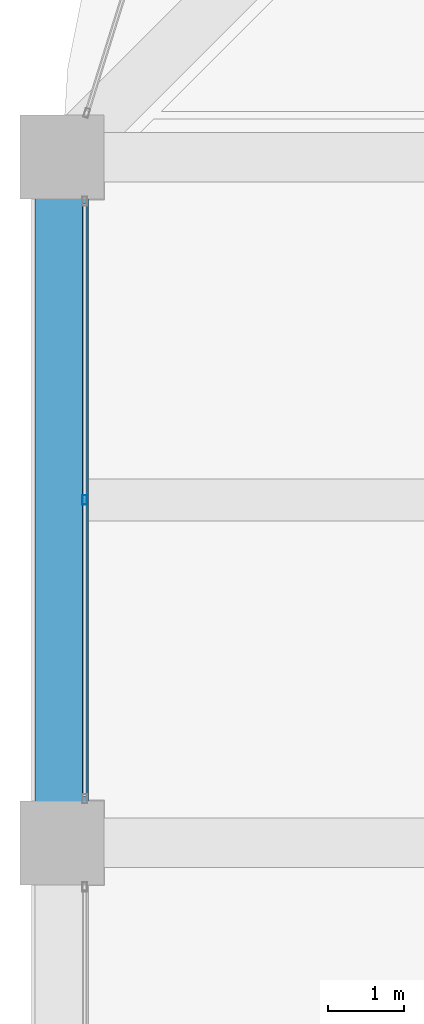
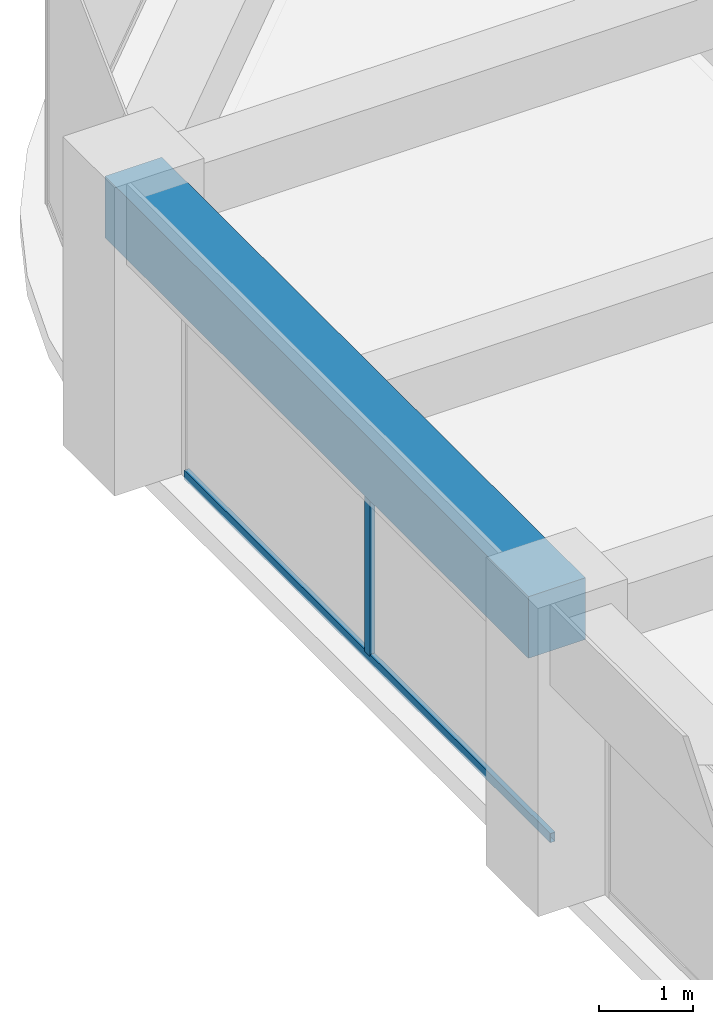
# One storey, part 16 of 44: 2 members, 1 beam, 1 element without a shape of its own.
"""IFC4 building model written with IfcOpenShell, lengths in metres."""

from ifc_helpers import new_model, si_unit, direction, frame, origin, origin_2d, place, context, subcontext, project, spatial, rectangle, hollow_rectangle, extrude, material, material_profile, profile_set, type_object, element, aggregate, save


model = new_model("IFC4")

# Units and contexts
model_context = context("Model", 3, precision=1e-05, world=origin(), true_north=direction((0.0, 1.0)))
body_context = subcontext(model_context, "Body", "Model", "MODEL_VIEW")
ifc_project = project(units=[si_unit("LENGTHUNIT", "METRE"), si_unit("AREAUNIT", "SQUARE_METRE"), si_unit("VOLUMEUNIT", "CUBIC_METRE"), si_unit("PLANEANGLEUNIT", "RADIAN"), si_unit("MASSUNIT", "GRAM", prefix="KILO")], contexts=[model_context])

# Site, building, storey
site_placement = place(None, origin())
site = spatial("IfcSite", under=ifc_project, at=site_placement, CompositionType="ELEMENT")
building_placement = place(site_placement, origin())
building = spatial("IfcBuilding", under=site, at=building_placement, Name="Zorevar Civic Tower", CompositionType="ELEMENT")
storey_placement = place(building_placement, frame((0.0, 0.0, 251.39990234375)))
storey = spatial("IfcBuildingStorey", under=building, at=storey_placement, Name="L61", CompositionType="ELEMENT", Elevation=251.39990234375)

# Curtain wall, members
ifc_material_1 = material(Name="Dark grey solar-control glass in black aluminium frame", Category="aluminium")
curtain_wall_type = type_object("IfcCurtainWallType", Name="Curtain wall CW5 top zone", PredefinedType="NOTDEFINED", material=ifc_material_1)
curtain_wall_placement = place(storey_placement, origin())
curtain_wall = element("IfcCurtainWall", 1, at=curtain_wall_placement, inside=storey, type_object=curtain_wall_type, Name="CW5 L61", PredefinedType="NOTDEFINED")
ifc_material_2 = material(Name="Aluminium, black anodised", Category="aluminium")
ifc_material_profile_1 = material_profile(ifc_material_2, hollow_rectangle(XDim=0.06005859375, YDim=0.1201171875, WallThickness=0.0029296875, at=origin_2d()), Name="AL 120x60x3")
ifc_profile_set_1 = profile_set([ifc_material_profile_1], Name="Aluminium, black anodised")
member_type_1 = type_object("IfcMemberType", Name="CW5 mullion AL 120x60x3", PredefinedType="MULLION", material=ifc_profile_set_1)
member_1_placement = place(storey_placement, frame((9.300048828125, 31.5, 0.06005859375), z_axis=(0.0, 0.0, 1.0), x_axis=(-1.0, 0.0, 0.0)))
member_1 = element("IfcMember", 2, at=member_1_placement, type_object=member_type_1, Name="CW5 mullion 2", PredefinedType="MULLION", context=body_context, shape_type="SweptSolid", body=[
    extrude(hollow_rectangle(XDim=0.06005859375, YDim=0.1201171875, WallThickness=0.0029296875, at=origin_2d()), origin(), (0.0, 0.0, 1.0), 2.89013671875),
])
ifc_material_3 = material(Name="Aluminium, black anodised", Category="aluminium")
ifc_material_profile_2 = material_profile(ifc_material_3, hollow_rectangle(XDim=0.06005859375, YDim=0.1201171875, WallThickness=0.0029296875, at=origin_2d()), Name="AL 120x60x3")
ifc_profile_set_2 = profile_set([ifc_material_profile_2], Name="Aluminium, black anodised")
member_type_2 = type_object("IfcMemberType", Name="CW5 transom AL 120x60x3", PredefinedType="USERDEFINED", material=ifc_profile_set_2)
member_2_placement = place(storey_placement, frame((9.300048828125, 27.610107421875, 0.030029296875), z_axis=(0.0, 1.0, 0.0), x_axis=(-1.0, 0.0, 0.0)))
member_2 = element("IfcMember", 3, at=member_2_placement, type_object=member_type_2, Name="CW5 sill transom", ObjectType="TRANSOM", PredefinedType="USERDEFINED", context=body_context, shape_type="SweptSolid", body=[
    extrude(hollow_rectangle(XDim=0.06005859375, YDim=0.1201171875, WallThickness=0.0029296875, at=origin_2d()), origin(), (0.0, 0.0, 1.0), 7.77978515625),
])
aggregate(curtain_wall, [member_1, member_2])

# Beam
ifc_material_4 = material(Name="Concrete C50/60", Category="concrete")
ifc_material_profile_3 = material_profile(ifc_material_4, rectangle(XDim=0.699951171875, YDim=0.800048828125, at=origin_2d()), Name="RC 700x800")
ifc_profile_set_3 = profile_set([ifc_material_profile_3], Name="Concrete C50/60")
beam_type = type_object("IfcBeamType", Name="Edge beam RC 700x800", PredefinedType="SPANDREL", material=ifc_profile_set_3)
beam_placement = place(storey_placement, frame((9.0, 27.0, 3.35009765625), z_axis=(0.0, 1.0, 0.0), x_axis=(-1.0, 0.0, 0.0)))
element("IfcBeam", 4, at=beam_placement, inside=storey, type_object=beam_type, Name="Edge beam L62", PredefinedType="SPANDREL", context=body_context, shape_type="SweptSolid", body=[
    extrude(rectangle(XDim=0.699951171875, YDim=0.800048828125, at=origin_2d()), origin(), (0.0, 0.0, 1.0), 9.0),
])

save(model, "model.ifc")
